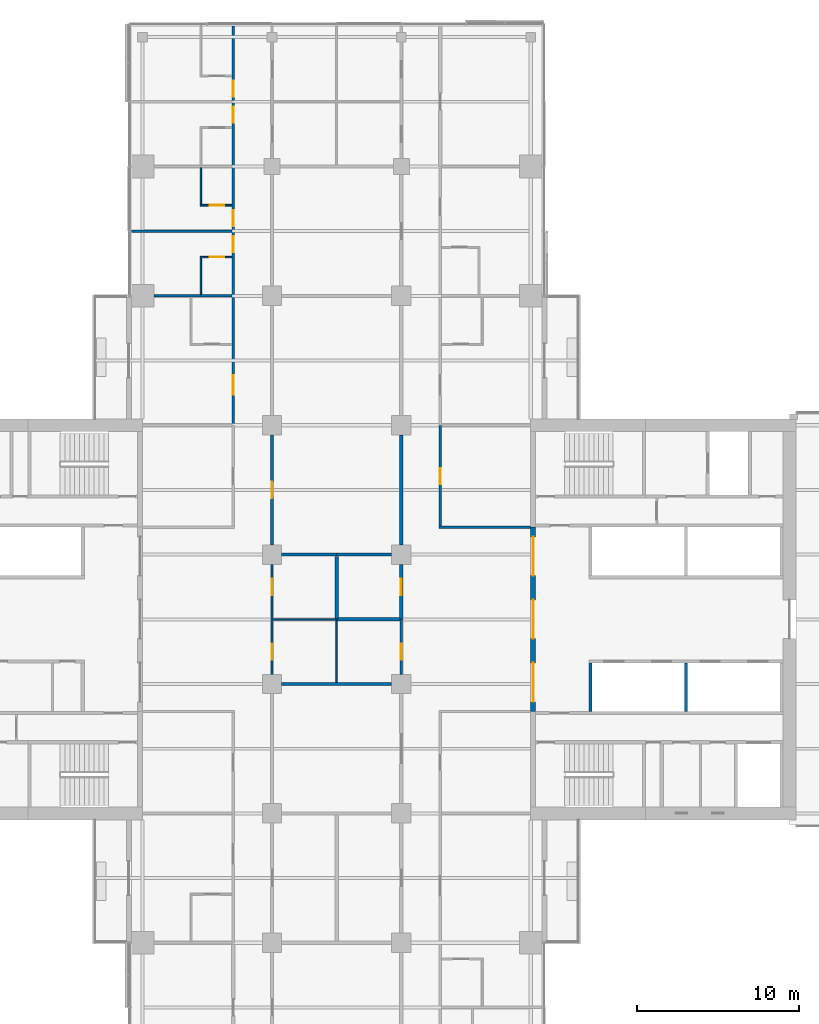
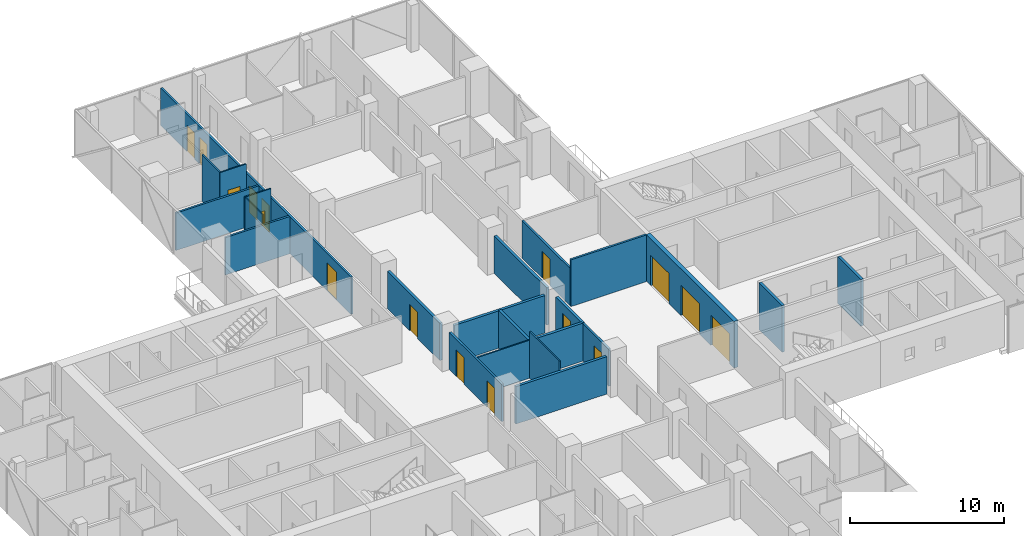
# One storey, part 19 of 27: 24 walls, 16 doors, 16 openings.
"""IFC4 building model written with IfcOpenShell, lengths in metres."""

from ifc_helpers import new_model, si_unit, direction, frame, frame_2d, origin, place, context, subcontext, project, spatial, rectangle, extrude, material, layer, layer_set, type_object, element, fill, save


model = new_model("IFC4")

# Units and contexts
model_context = context("Model", 3, precision=1e-05, world=origin(), true_north=direction((0.0, 1.0)))
body_context = subcontext(model_context, "Body", "Model", "MODEL_VIEW")
ifc_project = project(units=[si_unit("LENGTHUNIT", "METRE"), si_unit("AREAUNIT", "SQUARE_METRE"), si_unit("VOLUMEUNIT", "CUBIC_METRE"), si_unit("PLANEANGLEUNIT", "RADIAN"), si_unit("MASSUNIT", "GRAM", prefix="KILO")], contexts=[model_context])

# Site, building, storey
site_placement = place(None, origin())
site = spatial("IfcSite", under=ifc_project, at=site_placement, CompositionType="ELEMENT")
building_placement = place(site_placement, origin())
building = spatial("IfcBuilding", under=site, at=building_placement, Name="Crosswind Convention Tower", CompositionType="ELEMENT")
storey_placement = place(building_placement, frame((0.0, 0.0, 86.800048828125)))
storey = spatial("IfcBuildingStorey", under=building, at=storey_placement, Name="L16", CompositionType="ELEMENT", Elevation=86.800048828125)

# Walls
ifc_material_1 = material(Name="Concrete blockwork", Category="masonry")
ifc_layer_1 = layer(ifc_material_1, 0.199951171875)
ifc_layer_set_1 = layer_set([ifc_layer_1], Name="COMPARTMENT WALL 200")
wall_type_1 = type_object("IfcWallType", Name="COMPARTMENT WALL 200", PredefinedType="SOLIDWALL", material=ifc_layer_set_1)
wall_1_placement = place(storey_placement, frame((125.0, 100.0, 0.0), z_axis=(0.0, 0.0, 1.0), x_axis=(1.0, 0.0, 0.0)))
element("IfcWall", 1, at=wall_1_placement, inside=storey, type_object=wall_type_1, Name="Compartment Wall 30", PredefinedType="SOLIDWALL", context=body_context, shape_type="SweptSolid", body=[
    extrude(rectangle(XDim=3.925048828125, YDim=0.199951171875, at=frame_2d((1.96240234375, 0.0))), origin(), (0.0, 0.0, 1.0), 3.013671875),
])
wall_2_placement = place(storey_placement, frame((125.0, 104.0, 0.0), z_axis=(0.0, 0.0, 1.0), x_axis=(1.0, 0.0, 0.0)))
element("IfcWall", 2, at=wall_2_placement, inside=storey, type_object=wall_type_1, Name="Compartment Wall 37", PredefinedType="SOLIDWALL", context=body_context, shape_type="SweptSolid", body=[
    extrude(rectangle(XDim=3.39990234375, YDim=0.199951171875, at=frame_2d((1.699951171875, 0.0))), origin(), (0.0, 0.0, 1.0), 2.959716796875),
])
wall_3_placement = place(storey_placement, frame((125.0, 100.050048828125, 0.0), z_axis=(0.0, 0.0, 1.0), x_axis=(0.0, 1.0, 0.0)))
element("IfcWall", 3, at=wall_3_placement, inside=storey, type_object=wall_type_1, Name="Compartment Wall 98", PredefinedType="SOLIDWALL", context=body_context, shape_type="SweptSolid", body=[
    extrude(rectangle(XDim=3.849853515625, YDim=0.199951171875, at=frame_2d((1.9248046875, 0.0))), origin(), (0.0, 0.0, 1.0), 3.013671875),
])

# Wall, opening, door
wall_4_placement = place(storey_placement, frame((129.0, 100.0, 0.0), z_axis=(0.0, 0.0, 1.0), x_axis=(0.0, 1.0, 0.0)))
wall_4 = element("IfcWall", 4, at=wall_4_placement, inside=storey, type_object=wall_type_1, Name="Compartment Wall 108", PredefinedType="SOLIDWALL", context=body_context, shape_type="SweptSolid", body=[
    extrude(rectangle(XDim=3.39990234375, YDim=0.199951171875, at=frame_2d((1.699951171875, 0.0))), origin(), (0.0, 0.0, 1.0), 2.959716796875),
])
opening_1_placement = place(wall_4_placement, frame((1.5, 0.0, 0.0)))
opening_1 = element("IfcOpeningElement", 5, at=opening_1_placement, cuts=wall_4, Name="Opening 16.061", PredefinedType="OPENING", context=body_context, shape_type="SweptSolid", body=[
    extrude(rectangle(XDim=1.0, YDim=2.199951171875, at=frame_2d((0.5, 1.10009765625))), frame((0.0, 0.10986328125, 0.0), z_axis=(0.0, -1.0, 0.0), x_axis=(1.0, 0.0, 0.0)), (0.0, 0.0, 1.0), 0.219970703125),
])
ifc_material_2 = material(Name="Steel fire door", Category="steel")
door_type_1 = type_object("IfcDoorType", Name="PLANT ROOM DOOR 1000X2200", OperationType="NOTDEFINED", PredefinedType="DOOR", material=ifc_material_2)
door_1_placement = place(opening_1_placement, origin())
door_1 = element("IfcDoor", 6, at=door_1_placement, inside=storey, type_object=door_type_1, Name="Door 16.061", ObjectType="D6", OperationType="SINGLE_SWING_RIGHT", OverallHeight=2.199951171875, OverallWidth=1.0, PredefinedType="DOOR", context=body_context, shape_type="SweptSolid", body=[
    extrude(rectangle(XDim=1.0, YDim=2.199951171875, at=frame_2d((0.5, 1.10009765625))), frame((0.0, 0.02490234375, 0.0), z_axis=(0.0, -1.0, 0.0), x_axis=(1.0, 0.0, 0.0)), (0.0, 0.0, 1.0), 0.050048828125),
])
fill(opening_1, door_1)

# Wall
ifc_material_3 = material(Name="Plasterboard partition", Category="gypsum")
ifc_layer_2 = layer(ifc_material_3, 0.14990234375)
ifc_layer_set_2 = layer_set([ifc_layer_2], Name="CORRIDOR WALL 150")
wall_type_2 = type_object("IfcWallType", Name="CORRIDOR WALL 150", PredefinedType="PARTITIONING", material=ifc_layer_set_2)
wall_5_placement = place(storey_placement, frame((131.324951171875, 105.699951171875, 0.0), z_axis=(0.0, 0.0, 1.0), x_axis=(1.0, 0.0, 0.0)))
element("IfcWall", 7, at=wall_5_placement, inside=storey, type_object=wall_type_2, Name="Corridor Wall 42", PredefinedType="PARTITIONING", context=body_context, shape_type="SweptSolid", body=[
    extrude(rectangle(XDim=5.675048828125, YDim=0.14990234375, at=frame_2d((2.83740234375, 0.0))), origin(), (0.0, 0.0, 1.0), 3.699951171875),
])

# Wall, openings, doors
wall_6_placement = place(storey_placement, frame((121.0, 96.60009765625, 0.0), z_axis=(0.0, 0.0, 1.0), x_axis=(0.0, 1.0, 0.0)))
wall_6 = element("IfcWall", 8, at=wall_6_placement, inside=storey, type_object=wall_type_2, Name="Corridor Wall 88", PredefinedType="PARTITIONING", context=body_context, shape_type="SweptSolid", body=[
    extrude(rectangle(XDim=6.7998046875, YDim=0.14990234375, at=frame_2d((3.39990234375, 0.0))), origin(), (0.0, 0.0, 1.0), 2.959716796875),
])
opening_2_placement = place(wall_6_placement, frame((0.89990234375, 0.0, 0.0)))
opening_2 = element("IfcOpeningElement", 9, at=opening_2_placement, cuts=wall_6, Name="Opening 16.058", PredefinedType="OPENING", context=body_context, shape_type="SweptSolid", body=[
    extrude(rectangle(XDim=1.0, YDim=2.10009765625, at=frame_2d((0.5, 1.050048828125))), frame((0.0, 0.0849609375, 0.0), z_axis=(0.0, -1.0, 0.0), x_axis=(1.0, 0.0, 0.0)), (0.0, 0.0, 1.0), 0.169921875),
])
opening_3_placement = place(wall_6_placement, frame((4.89990234375, 0.0, 0.0)))
opening_3 = element("IfcOpeningElement", 10, at=opening_3_placement, cuts=wall_6, Name="Opening 16.059", PredefinedType="OPENING", context=body_context, shape_type="SweptSolid", body=[
    extrude(rectangle(XDim=1.0, YDim=2.10009765625, at=frame_2d((0.5, 1.050048828125))), frame((0.0, 0.0849609375, 0.0), z_axis=(0.0, -1.0, 0.0), x_axis=(1.0, 0.0, 0.0)), (0.0, 0.0, 1.0), 0.169921875),
])
ifc_material_4 = material(Name="Timber fire door", Category="wood")
door_type_2 = type_object("IfcDoorType", Name="SERVICE ROOM DOOR 1000X2100", OperationType="NOTDEFINED", PredefinedType="DOOR", material=ifc_material_4)
door_2_placement = place(opening_2_placement, frame((1.0, 0.0, 0.0), z_axis=(0.0, 0.0, 1.0), x_axis=(-1.0, 0.0, 0.0)))
door_2 = element("IfcDoor", 11, at=door_2_placement, inside=storey, type_object=door_type_2, Name="Door 16.058", ObjectType="D3", OperationType="SINGLE_SWING_RIGHT", OverallHeight=2.10009765625, OverallWidth=1.0, PredefinedType="DOOR", context=body_context, shape_type="SweptSolid", body=[
    extrude(rectangle(XDim=1.0, YDim=2.10009765625, at=frame_2d((0.5, 1.050048828125))), frame((0.0, 0.02490234375, 0.0), z_axis=(0.0, -1.0, 0.0), x_axis=(1.0, 0.0, 0.0)), (0.0, 0.0, 1.0), 0.050048828125),
])
fill(opening_2, door_2)
door_3_placement = place(opening_3_placement, frame((1.0, 0.0, 0.0), z_axis=(0.0, 0.0, 1.0), x_axis=(-1.0, 0.0, 0.0)))
door_3 = element("IfcDoor", 12, at=door_3_placement, inside=storey, type_object=door_type_2, Name="Door 16.059", ObjectType="D3", OperationType="SINGLE_SWING_LEFT", OverallHeight=2.10009765625, OverallWidth=1.0, PredefinedType="DOOR", context=body_context, shape_type="SweptSolid", body=[
    extrude(rectangle(XDim=1.0, YDim=2.10009765625, at=frame_2d((0.5, 1.050048828125))), frame((0.0, 0.02490234375, 0.0), z_axis=(0.0, -1.0, 0.0), x_axis=(1.0, 0.0, 0.0)), (0.0, 0.0, 1.0), 0.050048828125),
])
fill(opening_3, door_3)

# Wall, opening, door
wall_7_placement = place(storey_placement, frame((129.0, 96.60009765625, 0.0), z_axis=(0.0, 0.0, 1.0), x_axis=(0.0, 1.0, 0.0)))
wall_7 = element("IfcWall", 13, at=wall_7_placement, inside=storey, type_object=wall_type_2, Name="Corridor Wall 107", PredefinedType="PARTITIONING", context=body_context, shape_type="SweptSolid", body=[
    extrude(rectangle(XDim=3.39990234375, YDim=0.14990234375, at=frame_2d((1.699951171875, 0.0))), origin(), (0.0, 0.0, 1.0), 2.959716796875),
])
opening_4_placement = place(wall_7_placement, frame((0.89990234375, 0.0, 0.0)))
opening_4 = element("IfcOpeningElement", 14, at=opening_4_placement, cuts=wall_7, Name="Opening 16.060", PredefinedType="OPENING", context=body_context, shape_type="SweptSolid", body=[
    extrude(rectangle(XDim=1.0, YDim=2.10009765625, at=frame_2d((0.5, 1.050048828125))), frame((0.0, 0.0849609375, 0.0), z_axis=(0.0, -1.0, 0.0), x_axis=(1.0, 0.0, 0.0)), (0.0, 0.0, 1.0), 0.169921875),
])
door_4_placement = place(opening_4_placement, origin())
door_4 = element("IfcDoor", 15, at=door_4_placement, inside=storey, type_object=door_type_2, Name="Door 16.060", ObjectType="D3", OperationType="SINGLE_SWING_LEFT", OverallHeight=2.10009765625, OverallWidth=1.0, PredefinedType="DOOR", context=body_context, shape_type="SweptSolid", body=[
    extrude(rectangle(XDim=1.0, YDim=2.10009765625, at=frame_2d((0.5, 1.050048828125))), frame((0.0, 0.02490234375, 0.0), z_axis=(0.0, -1.0, 0.0), x_axis=(1.0, 0.0, 0.0)), (0.0, 0.0, 1.0), 0.050048828125),
])
fill(opening_4, door_4)

wall_8_placement = place(storey_placement, frame((131.39990234375, 105.77490234375, 0.0), z_axis=(0.0, 0.0, 1.0), x_axis=(0.0, 1.0, 0.0)))
wall_8 = element("IfcWall", 16, at=wall_8_placement, inside=storey, type_object=wall_type_2, Name="Corridor Wall 116", PredefinedType="PARTITIONING", context=body_context, shape_type="SweptSolid", body=[
    extrude(rectangle(XDim=6.22509765625, YDim=0.14990234375, at=frame_2d((3.112548828125, 0.0))), origin(), (0.0, 0.0, 1.0), 2.956298828125),
])
opening_5_placement = place(wall_8_placement, frame((2.574951171875, 0.0, 0.0)))
opening_5 = element("IfcOpeningElement", 17, at=opening_5_placement, cuts=wall_8, Name="Opening 16.001", PredefinedType="OPENING", context=body_context, shape_type="SweptSolid", body=[
    extrude(rectangle(XDim=1.0, YDim=2.10009765625, at=frame_2d((0.5, 1.050048828125))), frame((0.0, 0.0849609375, 0.0), z_axis=(0.0, -1.0, 0.0), x_axis=(1.0, 0.0, 0.0)), (0.0, 0.0, 1.0), 0.169921875),
])
door_5_placement = place(opening_5_placement, frame((1.0, 0.0, 0.0), z_axis=(0.0, 0.0, 1.0), x_axis=(-1.0, 0.0, 0.0)))
door_5 = element("IfcDoor", 18, at=door_5_placement, inside=storey, type_object=door_type_2, Name="Door 16.001", ObjectType="D3", OperationType="SINGLE_SWING_LEFT", OverallHeight=2.10009765625, OverallWidth=1.0, PredefinedType="DOOR", context=body_context, shape_type="SweptSolid", body=[
    extrude(rectangle(XDim=1.0, YDim=2.10009765625, at=frame_2d((0.5, 1.050048828125))), frame((0.0, 0.02490234375, 0.0), z_axis=(0.0, -1.0, 0.0), x_axis=(1.0, 0.0, 0.0)), (0.0, 0.0, 1.0), 0.050048828125),
])
fill(opening_5, door_5)

# Wall, openings, doors
ifc_material_5 = material(Name="Concrete C50/60", Category="concrete")
ifc_layer_3 = layer(ifc_material_5, 0.300048828125)
ifc_layer_set_3 = layer_set([ifc_layer_3], Name="Concrete C50/60")
wall_type_3 = type_object("IfcWallType", Name="Concrete inner core wall 300", PredefinedType="SHEAR", material=ifc_layer_set_3)
wall_9_placement = place(storey_placement, frame((137.14990234375, 94.300048828125, 0.0), z_axis=(0.0, 0.0, 1.0), x_axis=(0.0, 1.0, 0.0)))
wall_9 = element("IfcWall", 19, at=wall_9_placement, inside=storey, type_object=wall_type_3, Name="Wall SCR E L16", PredefinedType="SHEAR", context=body_context, shape_type="SweptSolid", body=[
    extrude(rectangle(XDim=11.39990234375, YDim=0.300048828125, at=frame_2d((5.699951171875, 0.0))), origin(), (0.0, 0.0, 1.0), 3.699951171875),
])
opening_6_placement = place(wall_9_placement, frame((0.60009765625, 0.0, 0.0)))
opening_6 = element("IfcOpeningElement", 20, at=opening_6_placement, cuts=wall_9, Name="Opening D100", PredefinedType="OPENING", context=body_context, shape_type="SweptSolid", body=[
    extrude(rectangle(XDim=2.39990234375, YDim=2.39990234375, at=frame_2d((1.199951171875, 1.199951171875))), frame((0.0, 0.159912109375, 0.0), z_axis=(0.0, -1.0, 0.0), x_axis=(1.0, 0.0, 0.0)), (0.0, 0.0, 1.0), 0.320068359375),
])
opening_7_placement = place(wall_9_placement, frame((4.5, 0.0, 0.0)))
opening_7 = element("IfcOpeningElement", 21, at=opening_7_placement, cuts=wall_9, Name="Opening D100", PredefinedType="OPENING", context=body_context, shape_type="SweptSolid", body=[
    extrude(rectangle(XDim=2.39990234375, YDim=2.39990234375, at=frame_2d((1.199951171875, 1.199951171875))), frame((0.0, 0.159912109375, 0.0), z_axis=(0.0, -1.0, 0.0), x_axis=(1.0, 0.0, 0.0)), (0.0, 0.0, 1.0), 0.320068359375),
])
opening_8_placement = place(wall_9_placement, frame((8.39990234375, 0.0, 0.0)))
opening_8 = element("IfcOpeningElement", 22, at=opening_8_placement, cuts=wall_9, Name="Opening D100", PredefinedType="OPENING", context=body_context, shape_type="SweptSolid", body=[
    extrude(rectangle(XDim=2.39990234375, YDim=2.39990234375, at=frame_2d((1.199951171875, 1.199951171875))), frame((0.0, 0.159912109375, 0.0), z_axis=(0.0, -1.0, 0.0), x_axis=(1.0, 0.0, 0.0)), (0.0, 0.0, 1.0), 0.320068359375),
])
ifc_material_6 = material(Name="Steel fire door with glazed vision panels", Category="steel")
door_type_3 = type_object("IfcDoorType", Name="Fire-rated double door 2400x2400", OperationType="DOUBLE_DOOR_SINGLE_SWING", PredefinedType="DOOR", material=ifc_material_6)
door_6_placement = place(opening_6_placement, origin())
door_6 = element("IfcDoor", 23, at=door_6_placement, inside=storey, type_object=door_type_3, Name="Lobby door 1 L16", ObjectType="D100", OperationType="DOUBLE_DOOR_SINGLE_SWING", OverallHeight=2.39990234375, OverallWidth=2.39990234375, PredefinedType="DOOR", context=body_context, shape_type="SweptSolid", body=[
    extrude(rectangle(XDim=2.39990234375, YDim=2.39990234375, at=frame_2d((1.199951171875, 1.199951171875))), frame((0.0, 0.02490234375, 0.0), z_axis=(0.0, -1.0, 0.0), x_axis=(1.0, 0.0, 0.0)), (0.0, 0.0, 1.0), 0.050048828125),
])
fill(opening_6, door_6)
door_7_placement = place(opening_7_placement, origin())
door_7 = element("IfcDoor", 24, at=door_7_placement, inside=storey, type_object=door_type_3, Name="Lobby door 2 L16", ObjectType="D100", OperationType="DOUBLE_DOOR_SINGLE_SWING", OverallHeight=2.39990234375, OverallWidth=2.39990234375, PredefinedType="DOOR", context=body_context, shape_type="SweptSolid", body=[
    extrude(rectangle(XDim=2.39990234375, YDim=2.39990234375, at=frame_2d((1.199951171875, 1.199951171875))), frame((0.0, 0.02490234375, 0.0), z_axis=(0.0, -1.0, 0.0), x_axis=(1.0, 0.0, 0.0)), (0.0, 0.0, 1.0), 0.050048828125),
])
fill(opening_7, door_7)
door_8_placement = place(opening_8_placement, origin())
door_8 = element("IfcDoor", 25, at=door_8_placement, inside=storey, type_object=door_type_3, Name="Lobby door 3 L16", ObjectType="D100", OperationType="DOUBLE_DOOR_SINGLE_SWING", OverallHeight=2.39990234375, OverallWidth=2.39990234375, PredefinedType="DOOR", context=body_context, shape_type="SweptSolid", body=[
    extrude(rectangle(XDim=2.39990234375, YDim=2.39990234375, at=frame_2d((1.199951171875, 1.199951171875))), frame((0.0, 0.02490234375, 0.0), z_axis=(0.0, -1.0, 0.0), x_axis=(1.0, 0.0, 0.0)), (0.0, 0.0, 1.0), 0.050048828125),
])
fill(opening_8, door_8)

# Walls
ifc_layer_4 = layer(ifc_material_5, 0.199951171875)
ifc_layer_set_4 = layer_set([ifc_layer_4], Name="Concrete C50/60")
wall_type_4 = type_object("IfcWallType", Name="Concrete shaft and stair wall 200", PredefinedType="SHEAR", material=ifc_layer_set_4)
for number, where, z_axis, x_axis, name in (
    (26, (140.699951171875, 94.300048828125, 0.0), (0.0, 0.0, 1.0), (0.0, 1.0, 0.0), "Wall RMEND E L16"),
    (27, (146.60009765625, 94.300048828125, 0.0), (0.0, 0.0, 1.0), (0.0, 1.0, 0.0), "Wall RMSEP E L16"),
):
    element("IfcWall", number, at=place(storey_placement, frame(where, z_axis=z_axis, x_axis=x_axis)), inside=storey, type_object=wall_type_4, Name=name, PredefinedType="SHEAR", context=body_context, shape_type="SweptSolid", body=[
        extrude(rectangle(XDim=3.0, YDim=0.199951171875, at=frame_2d((1.5, 0.0))), origin(), (0.0, 0.0, 1.0), 3.699951171875),
    ])
ifc_material_7 = material(Name="Acoustic plasterboard partition", Category="gypsum")
ifc_layer_5 = layer(ifc_material_7, 0.14990234375)
ifc_layer_set_5 = layer_set([ifc_layer_5], Name="GUEST ROOM WALL 150")
wall_type_5 = type_object("IfcWallType", Name="GUEST ROOM WALL 150", PredefinedType="PARTITIONING", material=ifc_layer_set_5)
wall_10_placement = place(storey_placement, frame((113.699951171875, 120.0, 0.0), z_axis=(0.0, 0.0, 1.0), x_axis=(1.0, 0.0, 0.0)))
element("IfcWall", 28, at=wall_10_placement, inside=storey, type_object=wall_type_5, Name="Guest Room Wall 52", PredefinedType="PARTITIONING", context=body_context, shape_type="SweptSolid", body=[
    extrude(rectangle(XDim=4.824951171875, YDim=0.14990234375, at=frame_2d((2.41259765625, 0.0))), origin(), (0.0, 0.0, 1.0), 2.959716796875),
])
wall_11_placement = place(storey_placement, frame((112.300048828125, 124.0, 0.0), z_axis=(0.0, 0.0, 1.0), x_axis=(1.0, 0.0, 0.0)))
element("IfcWall", 29, at=wall_11_placement, inside=storey, type_object=wall_type_5, Name="Guest Room Wall 57", PredefinedType="PARTITIONING", context=body_context, shape_type="SweptSolid", body=[
    extrude(rectangle(XDim=6.224853515625, YDim=0.14990234375, at=frame_2d((3.1123046875, 0.0))), origin(), (0.0, 0.0, 1.0), 2.962646484375),
])

# Wall, openings, doors
wall_12_placement = place(storey_placement, frame((118.60009765625, 112.0, 0.0), z_axis=(0.0, 0.0, 1.0), x_axis=(0.0, 1.0, 0.0)))
wall_12 = element("IfcWall", 30, at=wall_12_placement, inside=storey, type_object=wall_type_5, Name="Guest Room Wall 82", PredefinedType="PARTITIONING", context=body_context, shape_type="SweptSolid", body=[
    extrude(rectangle(XDim=24.699951171875, YDim=0.14990234375, at=frame_2d((12.35009765625, 0.0))), origin(), (0.0, 0.0, 1.0), 2.956298828125),
])
opening_9_placement = place(wall_12_placement, frame((1.89990234375, 0.0, 0.0)))
opening_9 = element("IfcOpeningElement", 31, at=opening_9_placement, cuts=wall_12, Name="Opening 16.010", PredefinedType="OPENING", context=body_context, shape_type="SweptSolid", body=[
    extrude(rectangle(XDim=1.199951171875, YDim=2.199951171875, at=frame_2d((0.60009765625, 1.10009765625))), frame((0.0, 0.0849609375, 0.0), z_axis=(0.0, -1.0, 0.0), x_axis=(1.0, 0.0, 0.0)), (0.0, 0.0, 1.0), 0.169921875),
])
opening_10_placement = place(wall_12_placement, frame((10.699951171875, 0.0, 0.0)))
opening_10 = element("IfcOpeningElement", 32, at=opening_10_placement, cuts=wall_12, Name="Opening 16.012", PredefinedType="OPENING", context=body_context, shape_type="SweptSolid", body=[
    extrude(rectangle(XDim=1.0, YDim=2.10009765625, at=frame_2d((0.5, 1.050048828125))), frame((0.0, 0.0849609375, 0.0), z_axis=(0.0, -1.0, 0.0), x_axis=(1.0, 0.0, 0.0)), (0.0, 0.0, 1.0), 0.169921875),
])
opening_11_placement = place(wall_12_placement, frame((12.300048828125, 0.0, 0.0)))
opening_11 = element("IfcOpeningElement", 33, at=opening_11_placement, cuts=wall_12, Name="Opening 16.014", PredefinedType="OPENING", context=body_context, shape_type="SweptSolid", body=[
    extrude(rectangle(XDim=1.0, YDim=2.10009765625, at=frame_2d((0.5, 1.050048828125))), frame((0.0, 0.0849609375, 0.0), z_axis=(0.0, -1.0, 0.0), x_axis=(1.0, 0.0, 0.0)), (0.0, 0.0, 1.0), 0.169921875),
])
opening_12_placement = place(wall_12_placement, frame((18.699951171875, 0.0, 0.0)))
opening_12 = element("IfcOpeningElement", 34, at=opening_12_placement, cuts=wall_12, Name="Opening 16.016", PredefinedType="OPENING", context=body_context, shape_type="SweptSolid", body=[
    extrude(rectangle(XDim=1.0, YDim=2.10009765625, at=frame_2d((0.5, 1.050048828125))), frame((0.0, 0.0849609375, 0.0), z_axis=(0.0, -1.0, 0.0), x_axis=(1.0, 0.0, 0.0)), (0.0, 0.0, 1.0), 0.169921875),
])
opening_13_placement = place(wall_12_placement, frame((20.300048828125, 0.0, 0.0)))
opening_13 = element("IfcOpeningElement", 35, at=opening_13_placement, cuts=wall_12, Name="Opening 16.018", PredefinedType="OPENING", context=body_context, shape_type="SweptSolid", body=[
    extrude(rectangle(XDim=1.0, YDim=2.10009765625, at=frame_2d((0.5, 1.050048828125))), frame((0.0, 0.0849609375, 0.0), z_axis=(0.0, -1.0, 0.0), x_axis=(1.0, 0.0, 0.0)), (0.0, 0.0, 1.0), 0.169921875),
])
door_type_4 = type_object("IfcDoorType", Name="GUEST ROOM DOOR 1000X2100", OperationType="NOTDEFINED", PredefinedType="DOOR", material=ifc_material_4)
door_9_placement = place(opening_10_placement, origin())
door_9 = element("IfcDoor", 36, at=door_9_placement, inside=storey, type_object=door_type_4, Name="Door 16.012", ObjectType="D1", OperationType="SINGLE_SWING_RIGHT", OverallHeight=2.10009765625, OverallWidth=1.0, PredefinedType="DOOR", context=body_context, shape_type="SweptSolid", body=[
    extrude(rectangle(XDim=1.0, YDim=2.10009765625, at=frame_2d((0.5, 1.050048828125))), frame((0.0, 0.02490234375, 0.0), z_axis=(0.0, -1.0, 0.0), x_axis=(1.0, 0.0, 0.0)), (0.0, 0.0, 1.0), 0.050048828125),
])
fill(opening_10, door_9)
door_10_placement = place(opening_11_placement, origin())
door_10 = element("IfcDoor", 37, at=door_10_placement, inside=storey, type_object=door_type_4, Name="Door 16.014", ObjectType="D1", OperationType="SINGLE_SWING_RIGHT", OverallHeight=2.10009765625, OverallWidth=1.0, PredefinedType="DOOR", context=body_context, shape_type="SweptSolid", body=[
    extrude(rectangle(XDim=1.0, YDim=2.10009765625, at=frame_2d((0.5, 1.050048828125))), frame((0.0, 0.02490234375, 0.0), z_axis=(0.0, -1.0, 0.0), x_axis=(1.0, 0.0, 0.0)), (0.0, 0.0, 1.0), 0.050048828125),
])
fill(opening_11, door_10)
door_11_placement = place(opening_12_placement, origin())
door_11 = element("IfcDoor", 38, at=door_11_placement, inside=storey, type_object=door_type_4, Name="Door 16.016", ObjectType="D1", OperationType="SINGLE_SWING_RIGHT", OverallHeight=2.10009765625, OverallWidth=1.0, PredefinedType="DOOR", context=body_context, shape_type="SweptSolid", body=[
    extrude(rectangle(XDim=1.0, YDim=2.10009765625, at=frame_2d((0.5, 1.050048828125))), frame((0.0, 0.02490234375, 0.0), z_axis=(0.0, -1.0, 0.0), x_axis=(1.0, 0.0, 0.0)), (0.0, 0.0, 1.0), 0.050048828125),
])
fill(opening_12, door_11)
door_12_placement = place(opening_13_placement, origin())
door_12 = element("IfcDoor", 39, at=door_12_placement, inside=storey, type_object=door_type_4, Name="Door 16.018", ObjectType="D1", OperationType="SINGLE_SWING_RIGHT", OverallHeight=2.10009765625, OverallWidth=1.0, PredefinedType="DOOR", context=body_context, shape_type="SweptSolid", body=[
    extrude(rectangle(XDim=1.0, YDim=2.10009765625, at=frame_2d((0.5, 1.050048828125))), frame((0.0, 0.02490234375, 0.0), z_axis=(0.0, -1.0, 0.0), x_axis=(1.0, 0.0, 0.0)), (0.0, 0.0, 1.0), 0.050048828125),
])
fill(opening_13, door_12)
door_type_5 = type_object("IfcDoorType", Name="SUITE DOOR 1200X2200", OperationType="DOUBLE_DOOR_SINGLE_SWING", PredefinedType="DOOR", material=ifc_material_4)
door_13_placement = place(opening_9_placement, origin())
door_13 = element("IfcDoor", 40, at=door_13_placement, inside=storey, type_object=door_type_5, Name="Door 16.010", ObjectType="D14", OperationType="DOUBLE_DOOR_SINGLE_SWING", OverallHeight=2.199951171875, OverallWidth=1.199951171875, PredefinedType="DOOR", context=body_context, shape_type="SweptSolid", body=[
    extrude(rectangle(XDim=1.199951171875, YDim=2.199951171875, at=frame_2d((0.60009765625, 1.10009765625))), frame((0.0, 0.02490234375, 0.0), z_axis=(0.0, -1.0, 0.0), x_axis=(1.0, 0.0, 0.0)), (0.0, 0.0, 1.0), 0.050048828125),
])
fill(opening_9, door_13)

# Walls
ifc_material_8 = material(Name="Double plasterboard partition", Category="gypsum")
ifc_layer_6 = layer(ifc_material_8, 0.199951171875)
ifc_layer_set_6 = layer_set([ifc_layer_6], Name="HALL WALL 200")
wall_type_6 = type_object("IfcWallType", Name="HALL WALL 200", PredefinedType="PARTITIONING", material=ifc_layer_set_6)
wall_13_placement = place(storey_placement, frame((121.60009765625, 96.0, 0.0), z_axis=(0.0, 0.0, 1.0), x_axis=(1.0, 0.0, 0.0)))
element("IfcWall", 41, at=wall_13_placement, inside=storey, type_object=wall_type_6, Name="Hall Wall 23", PredefinedType="PARTITIONING", context=body_context, shape_type="SweptSolid", body=[
    extrude(rectangle(XDim=6.7998046875, YDim=0.199951171875, at=frame_2d((3.39990234375, 0.0))), origin(), (0.0, 0.0, 1.0), 2.959716796875),
])
wall_14_placement = place(storey_placement, frame((121.60009765625, 104.0, 0.0), z_axis=(0.0, 0.0, 1.0), x_axis=(1.0, 0.0, 0.0)))
element("IfcWall", 42, at=wall_14_placement, inside=storey, type_object=wall_type_6, Name="Hall Wall 36", PredefinedType="PARTITIONING", context=body_context, shape_type="SweptSolid", body=[
    extrude(rectangle(XDim=3.39990234375, YDim=0.199951171875, at=frame_2d((1.699951171875, 0.0))), origin(), (0.0, 0.0, 1.0), 2.959716796875),
])

# Wall, opening, door
wall_15_placement = place(storey_placement, frame((121.0, 104.60009765625, 0.0), z_axis=(0.0, 0.0, 1.0), x_axis=(0.0, 1.0, 0.0)))
wall_15 = element("IfcWall", 43, at=wall_15_placement, inside=storey, type_object=wall_type_6, Name="Hall Wall 89", PredefinedType="PARTITIONING", context=body_context, shape_type="SweptSolid", body=[
    extrude(rectangle(XDim=6.7998046875, YDim=0.199951171875, at=frame_2d((3.39990234375, 0.0))), origin(), (0.0, 0.0, 1.0), 2.959716796875),
])
opening_14_placement = place(wall_15_placement, frame((2.89990234375, 0.0, 0.0)))
opening_14 = element("IfcOpeningElement", 44, at=opening_14_placement, cuts=wall_15, Name="Opening 16.062", PredefinedType="OPENING", context=body_context, shape_type="SweptSolid", body=[
    extrude(rectangle(XDim=1.0, YDim=2.10009765625, at=frame_2d((0.5, 1.050048828125))), frame((0.0, 0.10986328125, 0.0), z_axis=(0.0, -1.0, 0.0), x_axis=(1.0, 0.0, 0.0)), (0.0, 0.0, 1.0), 0.219970703125),
])
door_type_6 = type_object("IfcDoorType", Name="MEETING ROOM DOOR 1000X2100", OperationType="NOTDEFINED", PredefinedType="DOOR", material=ifc_material_4)
door_14_placement = place(opening_14_placement, frame((1.0, 0.0, 0.0), z_axis=(0.0, 0.0, 1.0), x_axis=(-1.0, 0.0, 0.0)))
door_14 = element("IfcDoor", 45, at=door_14_placement, inside=storey, type_object=door_type_6, Name="Door 16.062", ObjectType="D13", OperationType="SINGLE_SWING_LEFT", OverallHeight=2.10009765625, OverallWidth=1.0, PredefinedType="DOOR", context=body_context, shape_type="SweptSolid", body=[
    extrude(rectangle(XDim=1.0, YDim=2.10009765625, at=frame_2d((0.5, 1.050048828125))), frame((0.0, 0.02490234375, 0.0), z_axis=(0.0, -1.0, 0.0), x_axis=(1.0, 0.0, 0.0)), (0.0, 0.0, 1.0), 0.050048828125),
])
fill(opening_14, door_14)

# Walls
wall_16_placement = place(storey_placement, frame((129.0, 104.60009765625, 0.0), z_axis=(0.0, 0.0, 1.0), x_axis=(0.0, 1.0, 0.0)))
element("IfcWall", 46, at=wall_16_placement, inside=storey, type_object=wall_type_6, Name="Hall Wall 109", PredefinedType="PARTITIONING", context=body_context, shape_type="SweptSolid", body=[
    extrude(rectangle(XDim=6.7998046875, YDim=0.199951171875, at=frame_2d((3.39990234375, 0.0))), origin(), (0.0, 0.0, 1.0), 2.959716796875),
])
ifc_layer_7 = layer(ifc_material_3, 0.10009765625)
ifc_layer_set_7 = layer_set([ifc_layer_7], Name="PARTITION 100")
wall_type_7 = type_object("IfcWallType", Name="PARTITION 100", PredefinedType="PARTITIONING", material=ifc_layer_set_7)
wall_17_placement = place(storey_placement, frame((121.074951171875, 100.0, 0.0), z_axis=(0.0, 0.0, 1.0), x_axis=(1.0, 0.0, 0.0)))
element("IfcWall", 47, at=wall_17_placement, inside=storey, type_object=wall_type_7, Name="Partition 29", PredefinedType="PARTITIONING", context=body_context, shape_type="SweptSolid", body=[
    extrude(rectangle(XDim=3.925048828125, YDim=0.10009765625, at=frame_2d((1.96240234375, 0.0))), origin(), (0.0, 0.0, 1.0), 3.013671875),
])
wall_18_placement = place(storey_placement, frame((125.0, 96.10009765625, 0.0), z_axis=(0.0, 0.0, 1.0), x_axis=(0.0, 1.0, 0.0)))
element("IfcWall", 48, at=wall_18_placement, inside=storey, type_object=wall_type_7, Name="Partition 97", PredefinedType="PARTITIONING", context=body_context, shape_type="SweptSolid", body=[
    extrude(rectangle(XDim=3.849853515625, YDim=0.10009765625, at=frame_2d((1.9248046875, 0.0))), origin(), (0.0, 0.0, 1.0), 3.699951171875),
])

# Wall, opening, door
ifc_material_9 = material(Name="Water-resistant plasterboard partition", Category="gypsum")
ifc_layer_8 = layer(ifc_material_9, 0.10009765625)
ifc_layer_set_8 = layer_set([ifc_layer_8], Name="WET ROOM PARTITION 100")
wall_type_8 = type_object("IfcWallType", Name="WET ROOM PARTITION 100", PredefinedType="PLUMBINGWALL", material=ifc_layer_set_8)
wall_19_placement = place(storey_placement, frame((116.550048828125, 122.39990234375, 0.0), z_axis=(0.0, 0.0, 1.0), x_axis=(1.0, 0.0, 0.0)))
wall_19 = element("IfcWall", 49, at=wall_19_placement, inside=storey, type_object=wall_type_8, Name="Wet Room Partition 55", PredefinedType="PLUMBINGWALL", context=body_context, shape_type="SweptSolid", body=[
    extrude(rectangle(XDim=1.974853515625, YDim=0.10009765625, at=frame_2d((0.9873046875, 0.0))), origin(), (0.0, 0.0, 1.0), 3.699951171875),
])
opening_15_placement = place(wall_19_placement, frame((0.60009765625, 0.0, 0.0)))
opening_15 = element("IfcOpeningElement", 50, at=opening_15_placement, cuts=wall_19, Name="Opening 16.013", PredefinedType="OPENING", context=body_context, shape_type="SweptSolid", body=[
    extrude(rectangle(XDim=0.89990234375, YDim=2.10009765625, at=frame_2d((0.449951171875, 1.050048828125))), frame((0.0, 0.06005859375, 0.0), z_axis=(0.0, -1.0, 0.0), x_axis=(1.0, 0.0, 0.0)), (0.0, 0.0, 1.0), 0.1201171875),
])
ifc_material_10 = material(Name="Timber door", Category="wood")
door_type_7 = type_object("IfcDoorType", Name="EN-SUITE DOOR 900X2100", OperationType="NOTDEFINED", PredefinedType="DOOR", material=ifc_material_10)
door_15_placement = place(opening_15_placement, frame((0.89990234375, 0.0, 0.0), z_axis=(0.0, 0.0, 1.0), x_axis=(-1.0, 0.0, 0.0)))
door_15 = element("IfcDoor", 51, at=door_15_placement, inside=storey, type_object=door_type_7, Name="Door 16.013", ObjectType="D2", OperationType="SINGLE_SWING_LEFT", OverallHeight=2.10009765625, OverallWidth=0.89990234375, PredefinedType="DOOR", context=body_context, shape_type="SweptSolid", body=[
    extrude(rectangle(XDim=0.89990234375, YDim=2.10009765625, at=frame_2d((0.449951171875, 1.050048828125))), frame((0.0, 0.02490234375, 0.0), z_axis=(0.0, -1.0, 0.0), x_axis=(1.0, 0.0, 0.0)), (0.0, 0.0, 1.0), 0.050048828125),
])
fill(opening_15, door_15)

wall_20_placement = place(storey_placement, frame((116.550048828125, 125.60009765625, 0.0), z_axis=(0.0, 0.0, 1.0), x_axis=(1.0, 0.0, 0.0)))
wall_20 = element("IfcWall", 52, at=wall_20_placement, inside=storey, type_object=wall_type_8, Name="Wet Room Partition 58", PredefinedType="PLUMBINGWALL", context=body_context, shape_type="SweptSolid", body=[
    extrude(rectangle(XDim=1.974853515625, YDim=0.10009765625, at=frame_2d((0.9873046875, 0.0))), origin(), (0.0, 0.0, 1.0), 3.699951171875),
])
opening_16_placement = place(wall_20_placement, frame((0.60009765625, 0.0, 0.0)))
opening_16 = element("IfcOpeningElement", 53, at=opening_16_placement, cuts=wall_20, Name="Opening 16.015", PredefinedType="OPENING", context=body_context, shape_type="SweptSolid", body=[
    extrude(rectangle(XDim=0.89990234375, YDim=2.10009765625, at=frame_2d((0.449951171875, 1.050048828125))), frame((0.0, 0.06005859375, 0.0), z_axis=(0.0, -1.0, 0.0), x_axis=(1.0, 0.0, 0.0)), (0.0, 0.0, 1.0), 0.1201171875),
])
door_16_placement = place(opening_16_placement, origin())
door_16 = element("IfcDoor", 54, at=door_16_placement, inside=storey, type_object=door_type_7, Name="Door 16.015", ObjectType="D2", OperationType="SINGLE_SWING_RIGHT", OverallHeight=2.10009765625, OverallWidth=0.89990234375, PredefinedType="DOOR", context=body_context, shape_type="SweptSolid", body=[
    extrude(rectangle(XDim=0.89990234375, YDim=2.10009765625, at=frame_2d((0.449951171875, 1.050048828125))), frame((0.0, 0.02490234375, 0.0), z_axis=(0.0, -1.0, 0.0), x_axis=(1.0, 0.0, 0.0)), (0.0, 0.0, 1.0), 0.050048828125),
])
fill(opening_16, door_16)

# Walls
for number, where, z_axis, x_axis, name in (
    (55, (116.60009765625, 120.074951171875, 0.0), (0.0, 0.0, 1.0), (0.0, 1.0, 0.0), "Wet Room Partition 74"),
    (56, (116.60009765625, 125.64990234375, 0.0), (0.0, 0.0, 1.0), (0.0, 1.0, 0.0), "Wet Room Partition 75"),
):
    element("IfcWall", number, at=place(storey_placement, frame(where, z_axis=z_axis, x_axis=x_axis)), inside=storey, type_object=wall_type_8, Name=name, PredefinedType="PLUMBINGWALL", context=body_context, shape_type="SweptSolid", body=[
        extrude(rectangle(XDim=2.275146484375, YDim=0.10009765625, at=frame_2d((1.1376953125, 0.0))), origin(), (0.0, 0.0, 1.0), 3.699951171875),
    ])

save(model, "model.ifc")
